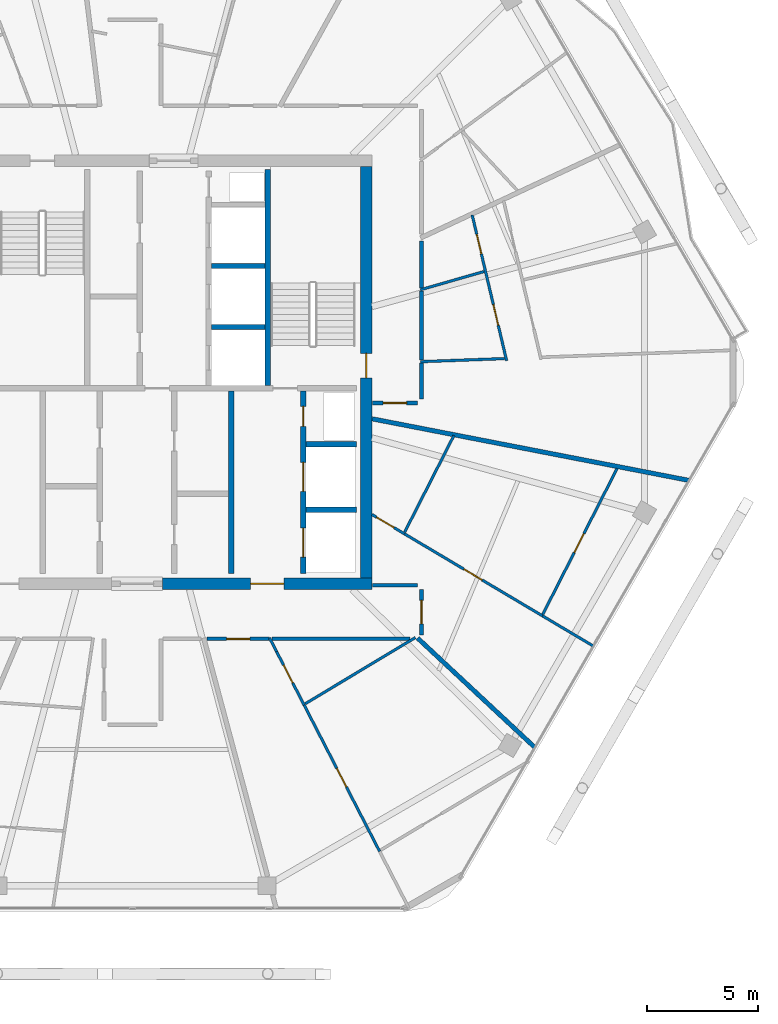
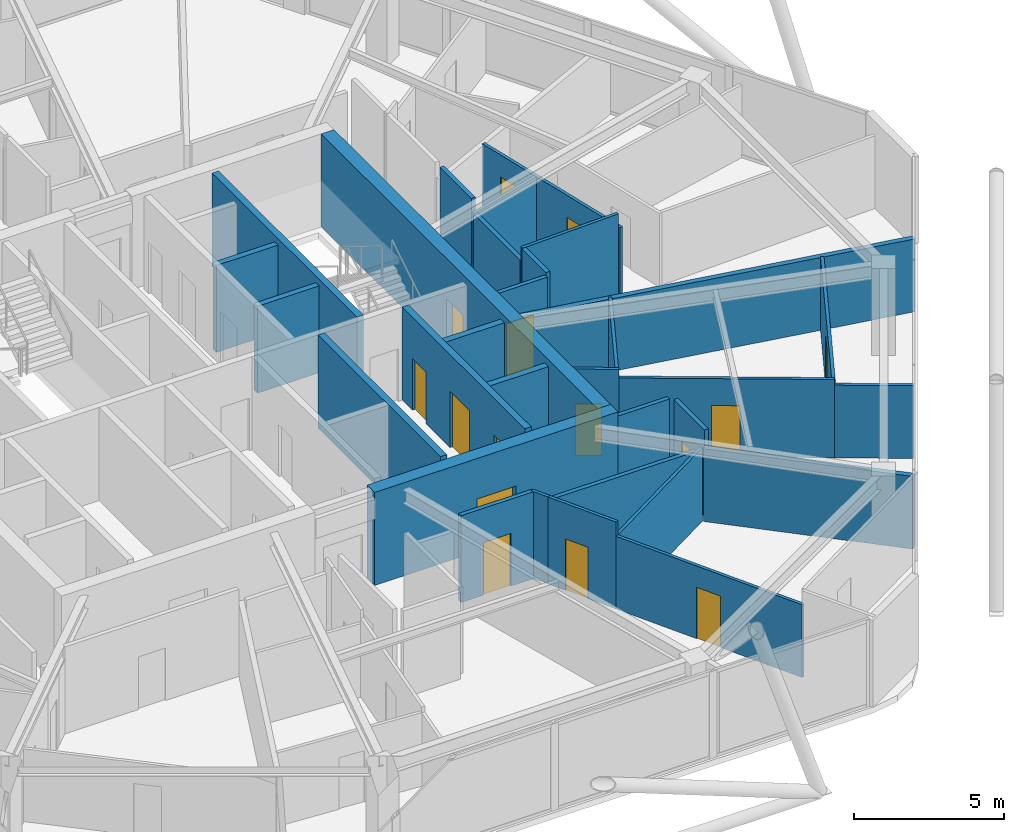
# One storey, part 18 of 23: 31 walls, 15 doors, 15 openings.
"""IFC4 building model written with IfcOpenShell, lengths in metres."""

from ifc_helpers import new_model, si_unit, direction, frame, frame_2d, origin, place, context, subcontext, project, spatial, rectangle, extrude, material, layer, layer_set, type_object, element, fill, save


model = new_model("IFC4")

# Units and contexts
model_context = context("Model", 3, precision=1e-05, world=origin(), true_north=direction((0.0, 1.0)))
body_context = subcontext(model_context, "Body", "Model", "MODEL_VIEW")
ifc_project = project(units=[si_unit("LENGTHUNIT", "METRE"), si_unit("AREAUNIT", "SQUARE_METRE"), si_unit("VOLUMEUNIT", "CUBIC_METRE"), si_unit("PLANEANGLEUNIT", "RADIAN"), si_unit("MASSUNIT", "GRAM", prefix="KILO")], contexts=[model_context])

# Site, building, storey
site_placement = place(None, origin())
site = spatial("IfcSite", under=ifc_project, at=site_placement, CompositionType="ELEMENT")
building_placement = place(site_placement, origin())
building = spatial("IfcBuilding", under=site, at=building_placement, Name="Zuhravey Tower", CompositionType="ELEMENT")
storey_placement = place(building_placement, frame((0.0, 0.0, 331.0)))
storey = spatial("IfcBuildingStorey", under=building, at=storey_placement, Name="L84", CompositionType="ELEMENT", Elevation=331.0)

# Wall, opening, door
ifc_material_1 = material(Name="Concrete C50/60", Category="concrete")
ifc_layer_1 = layer(ifc_material_1, 0.5)
ifc_layer_set_1 = layer_set([ifc_layer_1], Name="Concrete C50/60")
wall_type_1 = type_object("IfcWallType", Name="Core Shear Wall 500", PredefinedType="SHEAR", material=ifc_layer_set_1)
wall_1_placement = place(storey_placement, frame((37.35009765625, 22.5, 0.0), z_axis=(0.0, 0.0, 1.0), x_axis=(1.0, 0.0, 0.0)))
wall_1 = element("IfcWall", 1, at=wall_1_placement, inside=storey, type_object=wall_type_1, Name="L84 South-East Core Shear Wall CW50", PredefinedType="SHEAR", context=body_context, shape_type="SweptSolid", body=[
    extrude(rectangle(XDim=9.39990234375, YDim=0.5, at=frame_2d((4.699951171875, 0.0))), origin(), (0.0, 0.0, 1.0), 3.800048828125),
])
opening_1_placement = place(wall_1_placement, frame((3.949951171875, 0.0, 0.0)))
opening_1 = element("IfcOpeningElement", 2, at=opening_1_placement, cuts=wall_1, Name="Opening FFD1", PredefinedType="OPENING", context=body_context, shape_type="SweptSolid", body=[
    extrude(rectangle(XDim=1.5, YDim=2.14990234375, at=frame_2d((0.75, 1.074951171875))), frame((0.0, 0.261962890625, 0.0), z_axis=(0.0, -1.0, 0.0), x_axis=(1.0, 0.0, 0.0)), (0.0, 0.0, 1.0), 0.52392578125),
])
ifc_material_2 = material(Name="Galvanised fire-rated steel leaf", Category="steel")
door_type_1 = type_object("IfcDoorType", Name="Firefighting Lobby Double Door 1500x2150", OperationType="DOUBLE_DOOR_SINGLE_SWING", PredefinedType="DOOR", material=ifc_material_2)
door_1_placement = place(opening_1_placement, origin())
door_1 = element("IfcDoor", 3, at=door_1_placement, inside=storey, type_object=door_type_1, Name="L84 Firefighting Lobby East Door", OperationType="DOUBLE_DOOR_SINGLE_SWING", OverallHeight=2.14990234375, OverallWidth=1.5, PredefinedType="DOOR", context=body_context, shape_type="SweptSolid", body=[
    extrude(rectangle(XDim=1.5, YDim=2.14990234375, at=frame_2d((0.75, 1.074951171875))), frame((0.0, 0.02490234375, 0.0), z_axis=(0.0, -1.0, 0.0), x_axis=(1.0, 0.0, 0.0)), (0.0, 0.0, 1.0), 0.050048828125),
])
fill(opening_1, door_1)

wall_2_placement = place(storey_placement, frame((46.5, 22.75, 0.0), z_axis=(0.0, 0.0, 1.0), x_axis=(0.0, 1.0, 0.0)))
wall_2 = element("IfcWall", 4, at=wall_2_placement, inside=storey, type_object=wall_type_1, Name="L84 East Core Shear Wall CW50", PredefinedType="SHEAR", context=body_context, shape_type="SweptSolid", body=[
    extrude(rectangle(XDim=18.5, YDim=0.5, at=frame_2d((9.25, 0.0))), origin(), (0.0, 0.0, 1.0), 3.800048828125),
])
opening_2_placement = place(wall_2_placement, frame((9.0, 0.0, 0.0)))
opening_2 = element("IfcOpeningElement", 5, at=opening_2_placement, cuts=wall_2, Name="Opening STD1", PredefinedType="OPENING", context=body_context, shape_type="SweptSolid", body=[
    extrude(rectangle(XDim=1.10009765625, YDim=2.14990234375, at=frame_2d((0.550048828125, 1.074951171875))), frame((0.0, 0.261962890625, 0.0), z_axis=(0.0, -1.0, 0.0), x_axis=(1.0, 0.0, 0.0)), (0.0, 0.0, 1.0), 0.52392578125),
])
door_type_2 = type_object("IfcDoorType", Name="Protected Stair Fire Door 1100x2150", OperationType="NOTDEFINED", PredefinedType="USERDEFINED", material=ifc_material_2)
door_2_placement = place(opening_2_placement, origin())
door_2 = element("IfcDoor", 6, at=door_2_placement, inside=storey, type_object=door_type_2, Name="L84 Stair ST2 Door", ObjectType="EXITDOOR", OperationType="SINGLE_SWING_RIGHT", OverallHeight=2.14990234375, OverallWidth=1.10009765625, PredefinedType="USERDEFINED", context=body_context, shape_type="SweptSolid", body=[
    extrude(rectangle(XDim=1.10009765625, YDim=2.14990234375, at=frame_2d((0.550048828125, 1.074951171875))), frame((0.0, 0.02490234375, 0.0), z_axis=(0.0, -1.0, 0.0), x_axis=(1.0, 0.0, 0.0)), (0.0, 0.0, 1.0), 0.050048828125),
])
fill(opening_2, door_2)

ifc_material_3 = material(Name="Gypsum fire-rated stud partition")
ifc_layer_2 = layer(ifc_material_3, 0.159912109375)
ifc_layer_set_2 = layer_set([ifc_layer_2], Name="Gypsum fire-rated stud partition")
wall_type_2 = type_object("IfcWallType", Name="Corridor Fire Partition 160", PredefinedType="PARTITIONING", material=ifc_layer_set_2)
wall_3_placement = place(storey_placement, frame((39.343017578125, 20.02001953125, 0.0), z_axis=(0.0, 0.0, 1.0), x_axis=(1.0, 0.0, 0.0)))
wall_3 = element("IfcWall", 7, at=wall_3_placement, inside=storey, type_object=wall_type_2, Name="L84 IW16 Partition 040", PredefinedType="PARTITIONING", context=body_context, shape_type="SweptSolid", body=[
    extrude(rectangle(XDim=2.8125, YDim=0.159912109375, at=frame_2d((1.40625, 0.0))), origin(), (0.0, 0.0, 1.0), 3.550048828125),
])
opening_3_placement = place(wall_3_placement, frame((0.881103515625, 0.0, 0.0)))
opening_3 = element("IfcOpeningElement", 8, at=opening_3_placement, cuts=wall_3, Name="Opening APD1", PredefinedType="OPENING", context=body_context, shape_type="SweptSolid", body=[
    extrude(rectangle(XDim=1.050048828125, YDim=2.14990234375, at=frame_2d((0.52490234375, 1.074951171875))), frame((0.0, 0.092041015625, 0.0), z_axis=(0.0, -1.0, 0.0), x_axis=(1.0, 0.0, 0.0)), (0.0, 0.0, 1.0), 0.183837890625),
])
ifc_material_4 = material(Name="Solid-core oak fire-rated leaf")
door_type_3 = type_object("IfcDoorType", Name="Apartment Entrance Fire Door 1050x2150", OperationType="NOTDEFINED", PredefinedType="DOOR", material=ifc_material_4)
door_3_placement = place(opening_3_placement, frame((1.050048828125, 0.0, 0.0), z_axis=(0.0, 0.0, 1.0), x_axis=(-1.0, 0.0, 0.0)))
door_3 = element("IfcDoor", 9, at=door_3_placement, inside=storey, type_object=door_type_3, Name="L84 Door 040.1", OperationType="SINGLE_SWING_LEFT", OverallHeight=2.14990234375, OverallWidth=1.050048828125, PredefinedType="DOOR", context=body_context, shape_type="SweptSolid", body=[
    extrude(rectangle(XDim=1.050048828125, YDim=2.14990234375, at=frame_2d((0.52490234375, 1.074951171875))), frame((0.0, 0.02490234375, 0.0), z_axis=(0.0, -1.0, 0.0), x_axis=(1.0, 0.0, 0.0)), (0.0, 0.0, 1.0), 0.050048828125),
])
fill(opening_3, door_3)

wall_4_placement = place(storey_placement, frame((48.97998046875, 20.199951171875, 0.0), z_axis=(0.0, 0.0, 1.0), x_axis=(0.0, 1.0, 0.0)))
wall_4 = element("IfcWall", 10, at=wall_4_placement, inside=storey, type_object=wall_type_2, Name="L84 IW16 Partition 044", PredefinedType="PARTITIONING", context=body_context, shape_type="SweptSolid", body=[
    extrude(rectangle(XDim=2.050048828125, YDim=0.159912109375, at=frame_2d((1.02490234375, 0.0))), origin(), (0.0, 0.0, 1.0), 3.550048828125),
])
opening_4_placement = place(wall_4_placement, frame((0.5, 0.0, 0.0)))
opening_4 = element("IfcOpeningElement", 11, at=opening_4_placement, cuts=wall_4, Name="Opening APD1", PredefinedType="OPENING", context=body_context, shape_type="SweptSolid", body=[
    extrude(rectangle(XDim=1.050048828125, YDim=2.14990234375, at=frame_2d((0.52490234375, 1.074951171875))), frame((0.0, 0.092041015625, 0.0), z_axis=(0.0, -1.0, 0.0), x_axis=(1.0, 0.0, 0.0)), (0.0, 0.0, 1.0), 0.183837890625),
])
door_4_placement = place(opening_4_placement, frame((1.050048828125, 0.0, 0.0), z_axis=(0.0, 0.0, 1.0), x_axis=(-1.0, 0.0, 0.0)))
door_4 = element("IfcDoor", 12, at=door_4_placement, inside=storey, type_object=door_type_3, Name="L84 Door 044.1", OperationType="SINGLE_SWING_LEFT", OverallHeight=2.14990234375, OverallWidth=1.050048828125, PredefinedType="DOOR", context=body_context, shape_type="SweptSolid", body=[
    extrude(rectangle(XDim=1.050048828125, YDim=2.14990234375, at=frame_2d((0.52490234375, 1.074951171875))), frame((0.0, 0.02490234375, 0.0), z_axis=(0.0, -1.0, 0.0), x_axis=(1.0, 0.0, 0.0)), (0.0, 0.0, 1.0), 0.050048828125),
])
fill(opening_4, door_4)

wall_5_placement = place(storey_placement, frame((46.77001953125, 30.6201171875, 0.0), z_axis=(0.0, 0.0, 1.0), x_axis=(1.0, 0.0, 0.0)))
wall_5 = element("IfcWall", 13, at=wall_5_placement, inside=storey, type_object=wall_type_2, Name="L84 IW16 Partition 047", PredefinedType="PARTITIONING", context=body_context, shape_type="SweptSolid", body=[
    extrude(rectangle(XDim=2.029296875, YDim=0.159912109375, at=frame_2d((1.0146484375, 0.0))), origin(), (0.0, 0.0, 1.0), 3.550048828125),
])
opening_5_placement = place(wall_5_placement, frame((0.489501953125, 0.0, 0.0)))
opening_5 = element("IfcOpeningElement", 14, at=opening_5_placement, cuts=wall_5, Name="Opening APD1", PredefinedType="OPENING", context=body_context, shape_type="SweptSolid", body=[
    extrude(rectangle(XDim=1.050048828125, YDim=2.14990234375, at=frame_2d((0.52490234375, 1.074951171875))), frame((0.0, 0.092041015625, 0.0), z_axis=(0.0, -1.0, 0.0), x_axis=(1.0, 0.0, 0.0)), (0.0, 0.0, 1.0), 0.183837890625),
])
door_5_placement = place(opening_5_placement, origin())
door_5 = element("IfcDoor", 15, at=door_5_placement, inside=storey, type_object=door_type_3, Name="L84 Door 047.1", OperationType="SINGLE_SWING_RIGHT", OverallHeight=2.14990234375, OverallWidth=1.050048828125, PredefinedType="DOOR", context=body_context, shape_type="SweptSolid", body=[
    extrude(rectangle(XDim=1.050048828125, YDim=2.14990234375, at=frame_2d((0.52490234375, 1.074951171875))), frame((0.0, 0.02490234375, 0.0), z_axis=(0.0, -1.0, 0.0), x_axis=(1.0, 0.0, 0.0)), (0.0, 0.0, 1.0), 0.050048828125),
])
fill(opening_5, door_5)

# Walls
wall_6_placement = place(storey_placement, frame((42.254638671875, 20.02001953125, 0.0), z_axis=(0.0, 0.0, 1.0), x_axis=(1.0, 0.0, 0.0)))
element("IfcWall", 16, at=wall_6_placement, inside=storey, type_object=wall_type_2, Name="L84 IW16 Partition 116", PredefinedType="PARTITIONING", context=body_context, shape_type="SweptSolid", body=[
    extrude(rectangle(XDim=6.21337890625, YDim=0.159912109375, at=frame_2d((3.106689453125, 0.0))), origin(), (0.0, 0.0, 1.0), 3.0),
])
wall_7_placement = place(storey_placement, frame((48.800048828125, 22.429931640625, 0.0), z_axis=(0.0, 0.0, 1.0), x_axis=(-1.0, 0.0, 0.0)))
element("IfcWall", 17, at=wall_7_placement, inside=storey, type_object=wall_type_2, Name="L84 IW16 Partition 117", PredefinedType="PARTITIONING", context=body_context, shape_type="SweptSolid", body=[
    extrude(rectangle(XDim=2.030029296875, YDim=0.159912109375, at=frame_2d((1.01513671875, 0.0))), origin(), (0.0, 0.0, 1.0), 3.550048828125),
])
wall_8_placement = place(storey_placement, frame((48.97998046875, 30.80078125, 0.0), z_axis=(0.0, 0.0, 1.0), x_axis=(0.0, 1.0, 0.0)))
element("IfcWall", 18, at=wall_8_placement, inside=storey, type_object=wall_type_2, Name="L84 IW16 Partition 118", PredefinedType="PARTITIONING", context=body_context, shape_type="SweptSolid", body=[
    extrude(rectangle(XDim=1.607177734375, YDim=0.159912109375, at=frame_2d((0.8037109375, 0.0))), origin(), (0.0, 0.0, 1.0), 3.550048828125),
])
wall_9_placement = place(storey_placement, frame((48.97998046875, 32.5439453125, 0.0), z_axis=(0.0, 0.0, 1.0), x_axis=(0.0, 1.0, 0.0)))
element("IfcWall", 19, at=wall_9_placement, inside=storey, type_object=wall_type_2, Name="L84 IW16 Partition 119", PredefinedType="PARTITIONING", context=body_context, shape_type="SweptSolid", body=[
    extrude(rectangle(XDim=3.104248046875, YDim=0.159912109375, at=frame_2d((1.55224609375, 0.0))), origin(), (0.0, 0.0, 1.0), 3.0),
])
wall_10_placement = place(storey_placement, frame((48.97998046875, 35.789794921875, 0.0), z_axis=(0.0, 0.0, 1.0), x_axis=(0.0, 1.0, 0.0)))
element("IfcWall", 20, at=wall_10_placement, inside=storey, type_object=wall_type_2, Name="L84 IW16 Partition 120", PredefinedType="PARTITIONING", context=body_context, shape_type="SweptSolid", body=[
    extrude(rectangle(XDim=2.103515625, YDim=0.159912109375, at=frame_2d((1.0517578125, 0.0))), origin(), (0.0, 0.0, 1.0), 3.550048828125),
])
ifc_layer_3 = layer(ifc_material_1, 0.25)
ifc_layer_set_3 = layer_set([ifc_layer_3], Name="Concrete C50/60")
wall_type_3 = type_object("IfcWallType", Name="Firefighting Shaft & Stair Wall 250", PredefinedType="SOLIDWALL", material=ifc_layer_set_3)
wall_11_placement = place(storey_placement, frame((42.074951171875, 31.39990234375, 0.0), z_axis=(0.0, 0.0, 1.0), x_axis=(0.0, 1.0, 0.0)))
element("IfcWall", 21, at=wall_11_placement, inside=storey, type_object=wall_type_3, Name="L84 FW25 Shaft Wall 006", PredefinedType="SOLIDWALL", context=body_context, shape_type="SweptSolid", body=[
    extrude(rectangle(XDim=9.7001953125, YDim=0.25, at=frame_2d((4.85009765625, 0.0))), origin(), (0.0, 0.0, 1.0), 3.800048828125),
])
wall_12_placement = place(storey_placement, frame((40.425048828125, 22.949951171875, 0.0), z_axis=(0.0, 0.0, 1.0), x_axis=(0.0, 1.0, 0.0)))
element("IfcWall", 22, at=wall_12_placement, inside=storey, type_object=wall_type_3, Name="L84 FW25 Shaft Wall 017", PredefinedType="SOLIDWALL", context=body_context, shape_type="SweptSolid", body=[
    extrude(rectangle(XDim=8.199951171875, YDim=0.25, at=frame_2d((4.10009765625, 0.0))), origin(), (0.0, 0.0, 1.0), 3.800048828125),
])
for number, where, z_axis, x_axis, name in (
    (23, (43.800048828125, 25.824951171875, 0.0), (0.0, 0.0, 1.0), (1.0, 0.0, 0.0), "L84 FW25 Shaft Wall 018"),
    (24, (43.800048828125, 28.77490234375, 0.0), (0.0, 0.0, 1.0), (1.0, 0.0, 0.0), "L84 FW25 Shaft Wall 019"),
):
    element("IfcWall", number, at=place(storey_placement, frame(where, z_axis=z_axis, x_axis=x_axis)), inside=storey, type_object=wall_type_3, Name=name, PredefinedType="SOLIDWALL", context=body_context, shape_type="SweptSolid", body=[
        extrude(rectangle(XDim=2.25, YDim=0.25, at=frame_2d((1.125, 0.0))), origin(), (0.0, 0.0, 1.0), 3.800048828125),
    ])

# Wall, openings, doors
wall_13_placement = place(storey_placement, frame((43.675048828125, 22.949951171875, 0.0), z_axis=(0.0, 0.0, 1.0), x_axis=(0.0, 1.0, 0.0)))
wall_13 = element("IfcWall", 25, at=wall_13_placement, inside=storey, type_object=wall_type_3, Name="L84 FW25 Shaft Wall 020", PredefinedType="SOLIDWALL", context=body_context, shape_type="SweptSolid", body=[
    extrude(rectangle(XDim=8.199951171875, YDim=0.25, at=frame_2d((4.10009765625, 0.0))), origin(), (0.0, 0.0, 1.0), 3.800048828125),
])
opening_6_placement = place(wall_13_placement, frame((0.75, 0.0, 0.0)))
opening_6 = element("IfcOpeningElement", 26, at=opening_6_placement, cuts=wall_13, Name="Opening LD2", PredefinedType="OPENING", context=body_context, shape_type="SweptSolid", body=[
    extrude(rectangle(XDim=1.300048828125, YDim=2.300048828125, at=frame_2d((0.64990234375, 1.14990234375))), frame((0.0, 0.136962890625, 0.0), z_axis=(0.0, -1.0, 0.0), x_axis=(1.0, 0.0, 0.0)), (0.0, 0.0, 1.0), 0.27392578125),
])
opening_7_placement = place(wall_13_placement, frame((3.699951171875, 0.0, 0.0)))
opening_7 = element("IfcOpeningElement", 27, at=opening_7_placement, cuts=wall_13, Name="Opening LD2", PredefinedType="OPENING", context=body_context, shape_type="SweptSolid", body=[
    extrude(rectangle(XDim=1.300048828125, YDim=2.300048828125, at=frame_2d((0.64990234375, 1.14990234375))), frame((0.0, 0.136962890625, 0.0), z_axis=(0.0, -1.0, 0.0), x_axis=(1.0, 0.0, 0.0)), (0.0, 0.0, 1.0), 0.27392578125),
])
opening_8_placement = place(wall_13_placement, frame((6.6201171875, 0.0, 0.0)))
opening_8 = element("IfcOpeningElement", 28, at=opening_8_placement, cuts=wall_13, Name="Opening RSD1", PredefinedType="OPENING", context=body_context, shape_type="SweptSolid", body=[
    extrude(rectangle(XDim=0.89990234375, YDim=2.10009765625, at=frame_2d((0.449951171875, 1.050048828125))), frame((0.0, 0.136962890625, 0.0), z_axis=(0.0, -1.0, 0.0), x_axis=(1.0, 0.0, 0.0)), (0.0, 0.0, 1.0), 0.27392578125),
])
ifc_material_5 = material(Name="Brushed stainless steel", Category="steel")
door_type_4 = type_object("IfcDoorType", Name="Freight & Stretcher Lift Sliding Door 1300x2300", OperationType="DOUBLE_DOOR_SLIDING", PredefinedType="DOOR", material=ifc_material_5)
door_6_placement = place(opening_6_placement, origin())
door_6 = element("IfcDoor", 29, at=door_6_placement, inside=storey, type_object=door_type_4, Name="L84 Lift FF2 Landing Door", OperationType="DOUBLE_DOOR_SLIDING", OverallHeight=2.300048828125, OverallWidth=1.300048828125, PredefinedType="DOOR", context=body_context, shape_type="SweptSolid", body=[
    extrude(rectangle(XDim=1.300048828125, YDim=2.300048828125, at=frame_2d((0.64990234375, 1.14990234375))), frame((0.0, 0.02490234375, 0.0), z_axis=(0.0, -1.0, 0.0), x_axis=(1.0, 0.0, 0.0)), (0.0, 0.0, 1.0), 0.050048828125),
])
fill(opening_6, door_6)
door_7_placement = place(opening_7_placement, origin())
door_7 = element("IfcDoor", 30, at=door_7_placement, inside=storey, type_object=door_type_4, Name="L84 Lift SV1 Landing Door", OperationType="DOUBLE_DOOR_SLIDING", OverallHeight=2.300048828125, OverallWidth=1.300048828125, PredefinedType="DOOR", context=body_context, shape_type="SweptSolid", body=[
    extrude(rectangle(XDim=1.300048828125, YDim=2.300048828125, at=frame_2d((0.64990234375, 1.14990234375))), frame((0.0, 0.02490234375, 0.0), z_axis=(0.0, -1.0, 0.0), x_axis=(1.0, 0.0, 0.0)), (0.0, 0.0, 1.0), 0.050048828125),
])
fill(opening_7, door_7)
ifc_material_6 = material(Name="Galvanised fire-rated steel access leaf", Category="steel")
door_type_5 = type_object("IfcDoorType", Name="Riser & Shaft Access Fire Door 900x2100", OperationType="NOTDEFINED", PredefinedType="DOOR", material=ifc_material_6)
door_8_placement = place(opening_8_placement, origin())
door_8 = element("IfcDoor", 31, at=door_8_placement, inside=storey, type_object=door_type_5, Name="L84 Plumbing Riser Door", OperationType="SINGLE_SWING_RIGHT", OverallHeight=2.10009765625, OverallWidth=0.89990234375, PredefinedType="DOOR", context=body_context, shape_type="SweptSolid", body=[
    extrude(rectangle(XDim=0.89990234375, YDim=2.10009765625, at=frame_2d((0.449951171875, 1.050048828125))), frame((0.0, 0.02490234375, 0.0), z_axis=(0.0, -1.0, 0.0), x_axis=(1.0, 0.0, 0.0)), (0.0, 0.0, 1.0), 0.050048828125),
])
fill(opening_8, door_8)

# Walls
ifc_material_7 = material(Name="Gypsum double-stud party assembly")
ifc_layer_4 = layer(ifc_material_7, 0.199951171875)
ifc_layer_set_4 = layer_set([ifc_layer_4], Name="Gypsum double-stud party assembly")
wall_type_4 = type_object("IfcWallType", Name="Inter-Tenancy Party Wall 200", PredefinedType="PARTITIONING", material=ifc_layer_set_4)
wall_14_placement = place(storey_placement, frame((48.803955078125, 20.060302734375, 0.0), z_axis=(0.0, 0.0, 1.0), x_axis=(0.731343856779, -0.682008917208, 0.0)))
element("IfcWall", 32, at=wall_14_placement, inside=storey, type_object=wall_type_4, Name="L84 IW20 Partition 083", PredefinedType="PARTITIONING", context=body_context, shape_type="SweptSolid", body=[
    extrude(rectangle(XDim=7.2001953125, YDim=0.199951171875, at=frame_2d((3.60009765625, 0.0))), origin(), (0.0, 0.0, 1.0), 2.969970703125),
])
wall_15_placement = place(storey_placement, frame((46.758056640625, 29.908935546875, 0.0), z_axis=(0.0, 0.0, 1.0), x_axis=(0.981626953462, -0.190810178544, 0.0)))
element("IfcWall", 33, at=wall_15_placement, inside=storey, type_object=wall_type_4, Name="L84 IW20 Partition 086", PredefinedType="PARTITIONING", context=body_context, shape_type="SweptSolid", body=[
    extrude(rectangle(XDim=14.501708984375, YDim=0.199951171875, at=frame_2d((7.2509765625, 0.0))), origin(), (0.0, 0.0, 1.0), 2.969970703125),
])
ifc_material_8 = material(Name="Gypsum acoustic stud assembly")
ifc_layer_5 = layer(ifc_material_8, 0.219970703125)
ifc_layer_set_5 = layer_set([ifc_layer_5], Name="Gypsum acoustic stud assembly")
wall_type_5 = type_object("IfcWallType", Name="School Acoustic Compartment Wall 220", PredefinedType="PARTITIONING", material=ifc_layer_set_5)
for number, where, z_axis, x_axis, name in (
    (34, (39.55810546875, 34.02490234375, 0.0), (0.0, 0.0, 1.0), (1.0, 0.0, 0.0), "L84 IW22 Partition 060"),
    (35, (39.55810546875, 36.77490234375, 0.0), (0.0, 0.0, 1.0), (1.0, 0.0, 0.0), "L84 IW22 Partition 061"),
):
    element("IfcWall", number, at=place(storey_placement, frame(where, z_axis=z_axis, x_axis=x_axis)), inside=storey, type_object=wall_type_5, Name=name, PredefinedType="PARTITIONING", context=body_context, shape_type="SweptSolid", body=[
        extrude(rectangle(XDim=2.3837890625, YDim=0.219970703125, at=frame_2d((1.19189453125, 0.0))), origin(), (0.0, 0.0, 1.0), 3.550048828125),
    ])

# Wall, opening, door
ifc_material_9 = material(Name="Gypsum metal-stud partition")
ifc_layer_6 = layer(ifc_material_9, 0.1201171875)
ifc_layer_set_6 = layer_set([ifc_layer_6], Name="Gypsum metal-stud partition")
wall_type_6 = type_object("IfcWallType", Name="Unit Internal Partition 120", PredefinedType="PARTITIONING", material=ifc_layer_set_6)
wall_16_placement = place(storey_placement, frame((42.471923828125, 19.449951171875, 0.0), z_axis=(0.0, 0.0, 1.0), x_axis=(0.458327108515, -0.888783585357, 0.0)))
wall_16 = element("IfcWall", 36, at=wall_16_placement, inside=storey, type_object=wall_type_6, Name="L84 IW12 Partition 037", PredefinedType="PARTITIONING", context=body_context, shape_type="SweptSolid", body=[
    extrude(rectangle(XDim=2.697998046875, YDim=0.1201171875, at=frame_2d((1.34912109375, 0.0))), origin(), (0.0, 0.0, 1.0), 3.550048828125),
])
opening_9_placement = place(wall_16_placement, frame((0.68310546875, 0.0, 0.0)))
opening_9 = element("IfcOpeningElement", 37, at=opening_9_placement, cuts=wall_16, Name="Opening WCD1", PredefinedType="OPENING", context=body_context, shape_type="SweptSolid", body=[
    extrude(rectangle(XDim=0.89990234375, YDim=2.10009765625, at=frame_2d((0.449951171875, 1.050048828125))), frame((0.0, 0.072021484375, 0.0), z_axis=(0.0, -1.0, 0.0), x_axis=(1.0, 0.0, 0.0)), (0.0, 0.0, 1.0), 0.14404296875),
])
ifc_material_10 = material(Name="Moisture-resistant timber leaf", Category="wood")
door_type_6 = type_object("IfcDoorType", Name="Bathroom & WC Internal Door 900x2100", OperationType="NOTDEFINED", PredefinedType="DOOR", material=ifc_material_10)
door_9_placement = place(opening_9_placement, origin())
door_9 = element("IfcDoor", 38, at=door_9_placement, inside=storey, type_object=door_type_6, Name="Apartment L84-05 Bathroom Door", OperationType="SINGLE_SWING_RIGHT", OverallHeight=2.10009765625, OverallWidth=0.89990234375, PredefinedType="DOOR", context=body_context, shape_type="SweptSolid", body=[
    extrude(rectangle(XDim=0.89990234375, YDim=2.10009765625, at=frame_2d((0.449951171875, 1.050048828125))), frame((0.0, 0.02490234375, 0.0), z_axis=(0.0, -1.0, 0.0), x_axis=(1.0, 0.0, 0.0)), (0.0, 0.0, 1.0), 0.050048828125),
])
fill(opening_9, door_9)

wall_17_placement = place(storey_placement, frame((43.70849609375, 17.052001953125, 0.0), z_axis=(0.0, 0.0, 1.0), x_axis=(0.458373868426, -0.888759470692, 0.0)))
wall_17 = element("IfcWall", 39, at=wall_17_placement, inside=storey, type_object=wall_type_6, Name="L84 IW12 Partition 038", PredefinedType="PARTITIONING", context=body_context, shape_type="SweptSolid", body=[
    extrude(rectangle(XDim=7.39697265625, YDim=0.1201171875, at=frame_2d((3.698486328125, 0.0))), origin(), (0.0, 0.0, 1.0), 2.969970703125),
])
opening_10_placement = place(wall_17_placement, frame((3.198486328125, 0.0, 0.0)))
opening_10 = element("IfcOpeningElement", 40, at=opening_10_placement, cuts=wall_17, Name="Opening IND1", PredefinedType="OPENING", context=body_context, shape_type="SweptSolid", body=[
    extrude(rectangle(XDim=0.949951171875, YDim=2.10009765625, at=frame_2d((0.47509765625, 1.050048828125))), frame((0.0, 0.072021484375, 0.0), z_axis=(0.0, -1.0, 0.0), x_axis=(1.0, 0.0, 0.0)), (0.0, 0.0, 1.0), 0.14404296875),
])
ifc_material_11 = material(Name="Painted engineered timber leaf", Category="wood")
door_type_7 = type_object("IfcDoorType", Name="Internal Room & Bedroom Door 950x2100", OperationType="NOTDEFINED", PredefinedType="DOOR", material=ifc_material_11)
door_10_placement = place(opening_10_placement, origin())
door_10 = element("IfcDoor", 41, at=door_10_placement, inside=storey, type_object=door_type_7, Name="Apartment L84-05 Home Office Door", OperationType="SINGLE_SWING_LEFT", OverallHeight=2.10009765625, OverallWidth=0.949951171875, PredefinedType="DOOR", context=body_context, shape_type="SweptSolid", body=[
    extrude(rectangle(XDim=0.949951171875, YDim=2.10009765625, at=frame_2d((0.47509765625, 1.050048828125))), frame((0.0, 0.02490234375, 0.0), z_axis=(0.0, -1.0, 0.0), x_axis=(1.0, 0.0, 0.0)), (0.0, 0.0, 1.0), 0.050048828125),
])
fill(opening_10, door_10)

wall_18_placement = place(storey_placement, frame((46.758056640625, 25.607421875, 0.0), z_axis=(0.0, 0.0, 1.0), x_axis=(0.859597506205, -0.51097174807, 0.0)))
wall_18 = element("IfcWall", 42, at=wall_18_placement, inside=storey, type_object=wall_type_6, Name="L84 IW12 Partition 041", PredefinedType="PARTITIONING", context=body_context, shape_type="SweptSolid", body=[
    extrude(rectangle(XDim=1.693359375, YDim=0.1201171875, at=frame_2d((0.8466796875, 0.0))), origin(), (0.0, 0.0, 1.0), 3.550048828125),
])
opening_11_placement = place(wall_18_placement, frame((0.239013671875, 0.0, 0.0)))
opening_11 = element("IfcOpeningElement", 43, at=opening_11_placement, cuts=wall_18, Name="Opening WCD1", PredefinedType="OPENING", context=body_context, shape_type="SweptSolid", body=[
    extrude(rectangle(XDim=0.89990234375, YDim=2.10009765625, at=frame_2d((0.449951171875, 1.050048828125))), frame((0.0, 0.072021484375, 0.0), z_axis=(0.0, -1.0, 0.0), x_axis=(1.0, 0.0, 0.0)), (0.0, 0.0, 1.0), 0.14404296875),
])
door_11_placement = place(opening_11_placement, origin())
door_11 = element("IfcDoor", 44, at=door_11_placement, inside=storey, type_object=door_type_6, Name="Apartment L84-06 Bathroom Door", OperationType="SINGLE_SWING_RIGHT", OverallHeight=2.10009765625, OverallWidth=0.89990234375, PredefinedType="DOOR", context=body_context, shape_type="SweptSolid", body=[
    extrude(rectangle(XDim=0.89990234375, YDim=2.10009765625, at=frame_2d((0.449951171875, 1.050048828125))), frame((0.0, 0.02490234375, 0.0), z_axis=(0.0, -1.0, 0.0), x_axis=(1.0, 0.0, 0.0)), (0.0, 0.0, 1.0), 0.050048828125),
])
fill(opening_11, door_11)

wall_19_placement = place(storey_placement, frame((48.213623046875, 24.7421875, 0.0), z_axis=(0.0, 0.0, 1.0), x_axis=(0.859681622752, -0.510830213968, 0.0)))
wall_19 = element("IfcWall", 45, at=wall_19_placement, inside=storey, type_object=wall_type_6, Name="L84 IW12 Partition 042", PredefinedType="PARTITIONING", context=body_context, shape_type="SweptSolid", body=[
    extrude(rectangle(XDim=7.21826171875, YDim=0.1201171875, at=frame_2d((3.609130859375, 0.0))), origin(), (0.0, 0.0, 1.0), 3.199951171875),
])
opening_12_placement = place(wall_19_placement, frame((3.109130859375, 0.0, 0.0)))
opening_12 = element("IfcOpeningElement", 46, at=opening_12_placement, cuts=wall_19, Name="Opening IND1", PredefinedType="OPENING", context=body_context, shape_type="SweptSolid", body=[
    extrude(rectangle(XDim=0.949951171875, YDim=2.10009765625, at=frame_2d((0.47509765625, 1.050048828125))), frame((0.0, 0.072021484375, 0.0), z_axis=(0.0, -1.0, 0.0), x_axis=(1.0, 0.0, 0.0)), (0.0, 0.0, 1.0), 0.14404296875),
])
door_12_placement = place(opening_12_placement, origin())
door_12 = element("IfcDoor", 47, at=door_12_placement, inside=storey, type_object=door_type_7, Name="Apartment L84-06 Home Office Door", OperationType="SINGLE_SWING_LEFT", OverallHeight=2.10009765625, OverallWidth=0.949951171875, PredefinedType="DOOR", context=body_context, shape_type="SweptSolid", body=[
    extrude(rectangle(XDim=0.949951171875, YDim=2.10009765625, at=frame_2d((0.47509765625, 1.050048828125))), frame((0.0, 0.02490234375, 0.0), z_axis=(0.0, -1.0, 0.0), x_axis=(1.0, 0.0, 0.0)), (0.0, 0.0, 1.0), 0.050048828125),
])
fill(opening_12, door_12)

wall_20_placement = place(storey_placement, frame((54.428466796875, 21.12841796875, 0.0), z_axis=(0.0, 0.0, 1.0), x_axis=(0.453980042954, 0.89101185211, 0.0)))
wall_20 = element("IfcWall", 48, at=wall_20_placement, inside=storey, type_object=wall_type_6, Name="L84 IW12 Partition 043", PredefinedType="PARTITIONING", context=body_context, shape_type="SweptSolid", body=[
    extrude(rectangle(XDim=7.3466796875, YDim=0.1201171875, at=frame_2d((3.67333984375, 0.0))), origin(), (0.0, 0.0, 1.0), 3.0),
])
opening_13_placement = place(wall_20_placement, frame((3.114013671875, 0.0, 0.0)))
opening_13 = element("IfcOpeningElement", 49, at=opening_13_placement, cuts=wall_20, Name="Opening IND1", PredefinedType="OPENING", context=body_context, shape_type="SweptSolid", body=[
    extrude(rectangle(XDim=0.949951171875, YDim=2.10009765625, at=frame_2d((0.47509765625, 1.050048828125))), frame((0.0, 0.072021484375, 0.0), z_axis=(0.0, -1.0, 0.0), x_axis=(1.0, 0.0, 0.0)), (0.0, 0.0, 1.0), 0.14404296875),
])
door_13_placement = place(opening_13_placement, frame((0.949951171875, 0.0, 0.0), z_axis=(0.0, 0.0, 1.0), x_axis=(-1.0, 0.0, 0.0)))
door_13 = element("IfcDoor", 50, at=door_13_placement, inside=storey, type_object=door_type_7, Name="Apartment L84-06 Kitchen Door", OperationType="SINGLE_SWING_RIGHT", OverallHeight=2.10009765625, OverallWidth=0.949951171875, PredefinedType="DOOR", context=body_context, shape_type="SweptSolid", body=[
    extrude(rectangle(XDim=0.949951171875, YDim=2.10009765625, at=frame_2d((0.47509765625, 1.050048828125))), frame((0.0, 0.02490234375, 0.0), z_axis=(0.0, -1.0, 0.0), x_axis=(1.0, 0.0, 0.0)), (0.0, 0.0, 1.0), 0.050048828125),
])
fill(opening_13, door_13)

# Wall, openings, doors
wall_21_placement = place(storey_placement, frame((52.8037109375, 32.51611328125, 0.0), z_axis=(0.0, 0.0, 1.0), x_axis=(-0.230064826677, 0.97317530565, 0.0)))
wall_21 = element("IfcWall", 51, at=wall_21_placement, inside=storey, type_object=wall_type_6, Name="L84 IW12 Partition 045", PredefinedType="PARTITIONING", context=body_context, shape_type="SweptSolid", body=[
    extrude(rectangle(XDim=6.726806640625, YDim=0.1201171875, at=frame_2d((3.36328125, 0.0))), origin(), (0.0, 0.0, 1.0), 3.0),
])
opening_14_placement = place(wall_21_placement, frame((1.644287109375, 0.0, 0.0)))
opening_14 = element("IfcOpeningElement", 52, at=opening_14_placement, cuts=wall_21, Name="Opening IND1", PredefinedType="OPENING", context=body_context, shape_type="SweptSolid", body=[
    extrude(rectangle(XDim=0.949951171875, YDim=2.10009765625, at=frame_2d((0.47509765625, 1.050048828125))), frame((0.0, 0.072021484375, 0.0), z_axis=(0.0, -1.0, 0.0), x_axis=(1.0, 0.0, 0.0)), (0.0, 0.0, 1.0), 0.14404296875),
])
opening_15_placement = place(wall_21_placement, frame((4.930908203125, 0.0, 0.0)))
opening_15 = element("IfcOpeningElement", 53, at=opening_15_placement, cuts=wall_21, Name="Opening WCD1", PredefinedType="OPENING", context=body_context, shape_type="SweptSolid", body=[
    extrude(rectangle(XDim=0.89990234375, YDim=2.10009765625, at=frame_2d((0.449951171875, 1.050048828125))), frame((0.0, 0.072021484375, 0.0), z_axis=(0.0, -1.0, 0.0), x_axis=(1.0, 0.0, 0.0)), (0.0, 0.0, 1.0), 0.14404296875),
])
door_14_placement = place(opening_15_placement, origin())
door_14 = element("IfcDoor", 54, at=door_14_placement, inside=storey, type_object=door_type_6, Name="Apartment L84-07 Bathroom Door", OperationType="SINGLE_SWING_LEFT", OverallHeight=2.10009765625, OverallWidth=0.89990234375, PredefinedType="DOOR", context=body_context, shape_type="SweptSolid", body=[
    extrude(rectangle(XDim=0.89990234375, YDim=2.10009765625, at=frame_2d((0.449951171875, 1.050048828125))), frame((0.0, 0.02490234375, 0.0), z_axis=(0.0, -1.0, 0.0), x_axis=(1.0, 0.0, 0.0)), (0.0, 0.0, 1.0), 0.050048828125),
])
fill(opening_15, door_14)
door_15_placement = place(opening_14_placement, origin())
door_15 = element("IfcDoor", 55, at=door_15_placement, inside=storey, type_object=door_type_7, Name="Apartment L84-07 Kitchen Door", OperationType="SINGLE_SWING_RIGHT", OverallHeight=2.10009765625, OverallWidth=0.949951171875, PredefinedType="DOOR", context=body_context, shape_type="SweptSolid", body=[
    extrude(rectangle(XDim=0.949951171875, YDim=2.10009765625, at=frame_2d((0.47509765625, 1.050048828125))), frame((0.0, 0.02490234375, 0.0), z_axis=(0.0, -1.0, 0.0), x_axis=(1.0, 0.0, 0.0)), (0.0, 0.0, 1.0), 0.050048828125),
])
fill(opening_14, door_15)

# Walls
wall_22_placement = place(storey_placement, frame((42.15625, 20.062255859375, 0.0), z_axis=(0.0, 0.0, 1.0), x_axis=(0.458236639111, -0.888830232708, 0.0)))
element("IfcWall", 56, at=wall_22_placement, inside=storey, type_object=wall_type_6, Name="L84 IW12 Partition 080", PredefinedType="PARTITIONING", context=body_context, shape_type="SweptSolid", body=[
    extrude(rectangle(XDim=0.68896484375, YDim=0.1201171875, at=frame_2d((0.344482421875, 0.0))), origin(), (0.0, 0.0, 1.0), 3.550048828125),
])
wall_23_placement = place(storey_placement, frame((43.755615234375, 17.109375, 0.0), z_axis=(0.0, 0.0, 1.0), x_axis=(0.857171838157, 0.515030523242, 0.0)))
element("IfcWall", 57, at=wall_23_placement, inside=storey, type_object=wall_type_6, Name="L84 IW12 Partition 082", PredefinedType="PARTITIONING", context=body_context, shape_type="SweptSolid", body=[
    extrude(rectangle(XDim=5.772705078125, YDim=0.1201171875, at=frame_2d((2.88623046875, 0.0))), origin(), (0.0, 0.0, 1.0), 3.0),
])
wall_24_placement = place(storey_placement, frame((54.4189453125, 21.054931640625, 0.0), z_axis=(0.0, 0.0, 1.0), x_axis=(0.859699573503, -0.510800003249, 0.0)))
element("IfcWall", 58, at=wall_24_placement, inside=storey, type_object=wall_type_6, Name="L84 IW12 Partition 084", PredefinedType="PARTITIONING", context=body_context, shape_type="SweptSolid", body=[
    extrude(rectangle(XDim=2.655517578125, YDim=0.1201171875, at=frame_2d((1.32763671875, 0.0))), origin(), (0.0, 0.0, 1.0), 2.969970703125),
])
wall_25_placement = place(storey_placement, frame((48.22314453125, 24.81591796875, 0.0), z_axis=(0.0, 0.0, 1.0), x_axis=(0.453984233439, 0.891009717, 0.0)))
element("IfcWall", 59, at=wall_25_placement, inside=storey, type_object=wall_type_6, Name="L84 IW12 Partition 085", PredefinedType="PARTITIONING", context=body_context, shape_type="SweptSolid", body=[
    extrude(rectangle(XDim=4.88037109375, YDim=0.1201171875, at=frame_2d((2.440185546875, 0.0))), origin(), (0.0, 0.0, 1.0), 3.0),
])
wall_26_placement = place(storey_placement, frame((48.929931640625, 35.70458984375, 0.0), z_axis=(0.0, 0.0, 1.0), x_axis=(0.961309739991, 0.275469751149, 0.0)))
element("IfcWall", 60, at=wall_26_placement, inside=storey, type_object=wall_type_6, Name="L84 IW12 Partition 087", PredefinedType="PARTITIONING", context=body_context, shape_type="SweptSolid", body=[
    extrude(rectangle(XDim=2.9716796875, YDim=0.1201171875, at=frame_2d((1.48583984375, 0.0))), origin(), (0.0, 0.0, 1.0), 3.0),
])
wall_27_placement = place(storey_placement, frame((48.93017578125, 32.47412109375, 0.0), z_axis=(0.0, 0.0, 1.0), x_axis=(0.999328029443, 0.036653643337, 0.0)))
element("IfcWall", 61, at=wall_27_placement, inside=storey, type_object=wall_type_6, Name="L84 IW12 Partition 089", PredefinedType="PARTITIONING", context=body_context, shape_type="SweptSolid", body=[
    extrude(rectangle(XDim=3.783203125, YDim=0.1201171875, at=frame_2d((1.8916015625, 0.0))), origin(), (0.0, 0.0, 1.0), 3.550048828125),
])

save(model, "model.ifc")
